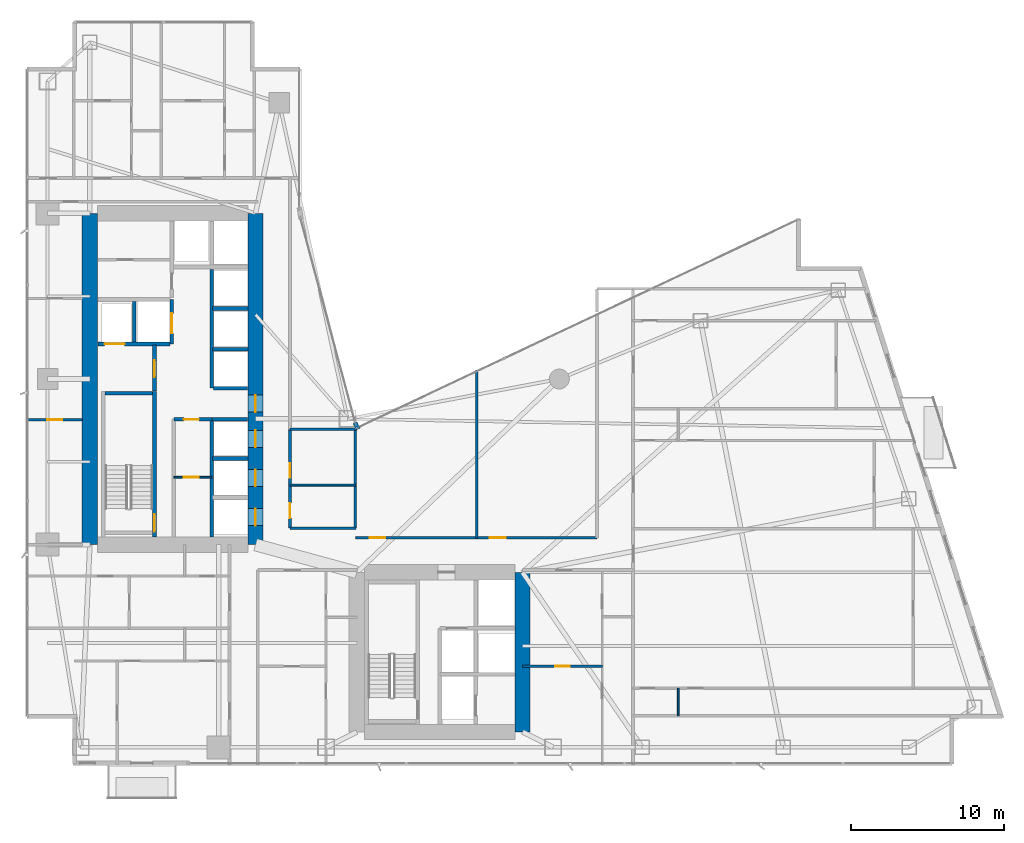
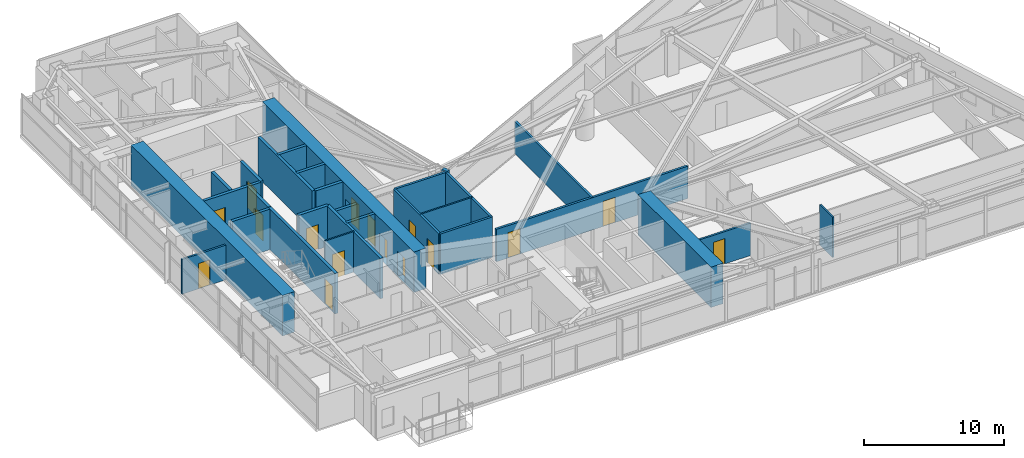
# One storey, part 22 of 28: 29 walls, 16 doors, 16 openings.
"""IFC4 building model written with IfcOpenShell, lengths in metres."""

from ifc_helpers import new_model, si_unit, direction, frame, frame_2d, origin, place, context, subcontext, project, spatial, rectangle, extrude, material, layer, layer_set, type_object, element, fill, save


model = new_model("IFC4")

# Units and contexts
model_context = context("Model", 3, precision=1e-05, world=origin(), true_north=direction((0.0, 1.0)))
body_context = subcontext(model_context, "Body", "Model", "MODEL_VIEW")
ifc_project = project(units=[si_unit("LENGTHUNIT", "METRE"), si_unit("AREAUNIT", "SQUARE_METRE"), si_unit("VOLUMEUNIT", "CUBIC_METRE"), si_unit("PLANEANGLEUNIT", "RADIAN"), si_unit("MASSUNIT", "GRAM", prefix="KILO")], contexts=[model_context])

# Site, building, storey
site_placement = place(None, origin())
site = spatial("IfcSite", under=ifc_project, at=site_placement, CompositionType="ELEMENT")
building_placement = place(site_placement, origin())
building = spatial("IfcBuilding", under=site, at=building_placement, Name="Calvorn Quay Hotel", CompositionType="ELEMENT")
storey_placement = place(building_placement, frame((0.0, 0.0, 42.199951171875)))
storey = spatial("IfcBuildingStorey", under=building, at=storey_placement, Name="L09", CompositionType="ELEMENT", Elevation=42.199951171875)

# Wall
ifc_material_1 = material(Name="Concrete C60", Category="concrete")
ifc_layer_1 = layer(ifc_material_1, 1.0)
ifc_layer_set_1 = layer_set([ifc_layer_1], Name="WL-CORE-1000")
wall_type_1 = type_object("IfcWallType", Name="WL-CORE-1000", PredefinedType="SHEAR", material=ifc_layer_set_1)
wall_1_placement = place(storey_placement, frame((4.199951171875, 16.800048828125, 0.0), z_axis=(0.0, 0.0, 1.0), x_axis=(0.0, 1.0, 0.0)))
element("IfcWall", 1, at=wall_1_placement, inside=storey, type_object=wall_type_1, Name="West Core Shear Wall W (L09)", PredefinedType="SHEAR", context=body_context, shape_type="SweptSolid", body=[
    extrude(rectangle(XDim=21.599853515625, YDim=1.0, at=frame_2d((10.7998046875, 0.0))), origin(), (0.0, 0.0, 1.0), 3.52001953125),
])

# Wall, openings, doors
wall_2_placement = place(storey_placement, frame((15.0, 16.800048828125, 0.0), z_axis=(0.0, 0.0, 1.0), x_axis=(0.0, 1.0, 0.0)))
wall_2 = element("IfcWall", 2, at=wall_2_placement, inside=storey, type_object=wall_type_1, Name="West Core Shear Wall E (L09)", PredefinedType="SHEAR", context=body_context, shape_type="SweptSolid", body=[
    extrude(rectangle(XDim=21.599853515625, YDim=1.0, at=frame_2d((10.7998046875, 0.0))), origin(), (0.0, 0.0, 1.0), 3.52001953125),
])
opening_1_placement = place(wall_2_placement, frame((8.64990234375, 0.0, 0.0)))
opening_1 = element("IfcOpeningElement", 3, at=opening_1_placement, cuts=wall_2, Name="Opening D-L09-CW1", PredefinedType="OPENING", context=body_context, shape_type="SweptSolid", body=[
    extrude(rectangle(XDim=1.10009765625, YDim=2.199951171875, at=frame_2d((0.550048828125, 1.10009765625))), frame((0.0, 0.510009765625, 0.0), z_axis=(0.0, -1.0, 0.0), x_axis=(1.0, 0.0, 0.0)), (0.0, 0.0, 1.0), 1.02001953125),
])
opening_2_placement = place(wall_2_placement, frame((1.25, 0.0, 0.0)))
opening_2 = element("IfcOpeningElement", 4, at=opening_2_placement, cuts=wall_2, Name="Opening LD-L09-L1", PredefinedType="OPENING", context=body_context, shape_type="SweptSolid", body=[
    extrude(rectangle(XDim=1.10009765625, YDim=2.199951171875, at=frame_2d((0.550048828125, 1.10009765625))), frame((0.0, 0.510009765625, 0.0), z_axis=(0.0, -1.0, 0.0), x_axis=(1.0, 0.0, 0.0)), (0.0, 0.0, 1.0), 1.02001953125),
])
opening_3_placement = place(wall_2_placement, frame((3.800048828125, 0.0, 0.0)))
opening_3 = element("IfcOpeningElement", 5, at=opening_3_placement, cuts=wall_2, Name="Opening LD-L09-L2", PredefinedType="OPENING", context=body_context, shape_type="SweptSolid", body=[
    extrude(rectangle(XDim=1.10009765625, YDim=2.199951171875, at=frame_2d((0.550048828125, 1.10009765625))), frame((0.0, 0.510009765625, 0.0), z_axis=(0.0, -1.0, 0.0), x_axis=(1.0, 0.0, 0.0)), (0.0, 0.0, 1.0), 1.02001953125),
])
opening_4_placement = place(wall_2_placement, frame((6.35009765625, 0.0, 0.0)))
opening_4 = element("IfcOpeningElement", 6, at=opening_4_placement, cuts=wall_2, Name="Opening LD-L09-L3", PredefinedType="OPENING", context=body_context, shape_type="SweptSolid", body=[
    extrude(rectangle(XDim=1.10009765625, YDim=2.199951171875, at=frame_2d((0.550048828125, 1.10009765625))), frame((0.0, 0.510009765625, 0.0), z_axis=(0.0, -1.0, 0.0), x_axis=(1.0, 0.0, 0.0)), (0.0, 0.0, 1.0), 1.02001953125),
])
ifc_material_2 = material(Name="Smoke-Sealed Steel Class A Fire Door", Category="steel")
door_type_1 = type_object("IfcDoorType", Name="DR-FFLOBBY-1100", OperationType="NOTDEFINED", PredefinedType="DOOR", material=ifc_material_2)
door_1_placement = place(opening_1_placement, origin())
door_1 = element("IfcDoor", 7, at=door_1_placement, inside=storey, type_object=door_type_1, Name="West Core Vestibule Fire Door (L09)", OperationType="SINGLE_SWING_RIGHT", OverallHeight=2.199951171875, OverallWidth=1.10009765625, PredefinedType="DOOR", context=body_context, shape_type="SweptSolid", body=[
    extrude(rectangle(XDim=1.10009765625, YDim=2.199951171875, at=frame_2d((0.550048828125, 1.10009765625))), frame((0.0, 0.02490234375, 0.0), z_axis=(0.0, -1.0, 0.0), x_axis=(1.0, 0.0, 0.0)), (0.0, 0.0, 1.0), 0.050048828125),
])
fill(opening_1, door_1)
ifc_material_3 = material(Name="Brushed Stainless Steel Sliding Lift Landing Door", Category="steel")
door_type_2 = type_object("IfcDoorType", Name="DR-LIFT-PASS-1100", OperationType="NOTDEFINED", PredefinedType="DOOR", material=ifc_material_3)
door_2_placement = place(opening_2_placement, origin())
door_2 = element("IfcDoor", 8, at=door_2_placement, inside=storey, type_object=door_type_2, Name="Low-Rise Lift PL-L1 Landing Door (L09)", OperationType="DOUBLE_DOOR_SLIDING", OverallHeight=2.199951171875, OverallWidth=1.10009765625, PredefinedType="DOOR", context=body_context, shape_type="SweptSolid", body=[
    extrude(rectangle(XDim=1.10009765625, YDim=2.199951171875, at=frame_2d((0.550048828125, 1.10009765625))), frame((0.0, 0.02490234375, 0.0), z_axis=(0.0, -1.0, 0.0), x_axis=(1.0, 0.0, 0.0)), (0.0, 0.0, 1.0), 0.050048828125),
])
fill(opening_2, door_2)
door_3_placement = place(opening_3_placement, origin())
door_3 = element("IfcDoor", 9, at=door_3_placement, inside=storey, type_object=door_type_2, Name="Low-Rise Lift PL-L2 Landing Door (L09)", OperationType="DOUBLE_DOOR_SLIDING", OverallHeight=2.199951171875, OverallWidth=1.10009765625, PredefinedType="DOOR", context=body_context, shape_type="SweptSolid", body=[
    extrude(rectangle(XDim=1.10009765625, YDim=2.199951171875, at=frame_2d((0.550048828125, 1.10009765625))), frame((0.0, 0.02490234375, 0.0), z_axis=(0.0, -1.0, 0.0), x_axis=(1.0, 0.0, 0.0)), (0.0, 0.0, 1.0), 0.050048828125),
])
fill(opening_3, door_3)
door_4_placement = place(opening_4_placement, origin())
door_4 = element("IfcDoor", 10, at=door_4_placement, inside=storey, type_object=door_type_2, Name="Low-Rise Lift PL-L3 Landing Door (L09)", OperationType="DOUBLE_DOOR_SLIDING", OverallHeight=2.199951171875, OverallWidth=1.10009765625, PredefinedType="DOOR", context=body_context, shape_type="SweptSolid", body=[
    extrude(rectangle(XDim=1.10009765625, YDim=2.199951171875, at=frame_2d((0.550048828125, 1.10009765625))), frame((0.0, 0.02490234375, 0.0), z_axis=(0.0, -1.0, 0.0), x_axis=(1.0, 0.0, 0.0)), (0.0, 0.0, 1.0), 0.050048828125),
])
fill(opening_4, door_4)

# Walls
wall_3_placement = place(storey_placement, frame((32.39990234375, 4.60009765625, 0.0), z_axis=(0.0, 0.0, 1.0), x_axis=(0.0, 1.0, 0.0)))
element("IfcWall", 11, at=wall_3_placement, inside=storey, type_object=wall_type_1, Name="East Core Shear Wall E (L09)", PredefinedType="SHEAR", context=body_context, shape_type="SweptSolid", body=[
    extrude(rectangle(XDim=10.39990234375, YDim=1.0, at=frame_2d((5.199951171875, 0.0))), origin(), (0.0, 0.0, 1.0), 3.52001953125),
])
ifc_material_4 = material(Name="Acoustic Fireboard Steel-Stud Partition", Category="steel")
ifc_layer_2 = layer(ifc_material_4, 0.179931640625)
ifc_layer_set_2 = layer_set([ifc_layer_2], Name="WL-CORR-FIRE-180")
wall_type_2 = type_object("IfcWallType", Name="WL-CORR-FIRE-180", PredefinedType="PARTITIONING", material=ifc_layer_set_2)
wall_4_placement = place(storey_placement, frame((17.25, 17.8798828125, 0.0), z_axis=(0.0, 0.0, 1.0), x_axis=(1.0, 0.0, 0.0)))
element("IfcWall", 12, at=wall_4_placement, inside=storey, type_object=wall_type_2, Name="Partition Wall L09-WL-HK-S", PredefinedType="PARTITIONING", context=body_context, shape_type="SweptSolid", body=[
    extrude(rectangle(XDim=4.300048828125, YDim=0.179931640625, at=frame_2d((2.14990234375, 0.0))), origin(), (0.0, 0.0, 1.0), 3.52001953125),
])
wall_5_placement = place(storey_placement, frame((17.25, 24.320068359375, 0.0), z_axis=(0.0, 0.0, 1.0), x_axis=(1.0, 0.0, 0.0)))
element("IfcWall", 13, at=wall_5_placement, inside=storey, type_object=wall_type_2, Name="Partition Wall L09-WL-HK-N", PredefinedType="PARTITIONING", context=body_context, shape_type="SweptSolid", body=[
    extrude(rectangle(XDim=4.35009765625, YDim=0.179931640625, at=frame_2d((2.175048828125, 0.0))), origin(), (0.0, 0.0, 1.0), 3.52001953125),
])
wall_6_placement = place(storey_placement, frame((21.5, 17.8798828125, 0.0), z_axis=(0.0, 0.0, 1.0), x_axis=(0.0, 1.0, 0.0)))
element("IfcWall", 14, at=wall_6_placement, inside=storey, type_object=wall_type_2, Name="Partition Wall L09-WL-HK-E", PredefinedType="PARTITIONING", context=body_context, shape_type="SweptSolid", body=[
    extrude(rectangle(XDim=6.440185546875, YDim=0.179931640625, at=frame_2d((3.22021484375, 0.0))), origin(), (0.0, 0.0, 1.0), 3.52001953125),
])

# Wall, openings, doors
wall_7_placement = place(storey_placement, frame((17.25, 17.8798828125, 0.0), z_axis=(0.0, 0.0, 1.0), x_axis=(0.0, 1.0, 0.0)))
wall_7 = element("IfcWall", 15, at=wall_7_placement, inside=storey, type_object=wall_type_2, Name="Partition Wall L09-WL-HK-W", PredefinedType="PARTITIONING", context=body_context, shape_type="SweptSolid", body=[
    extrude(rectangle(XDim=6.440185546875, YDim=0.179931640625, at=frame_2d((3.22021484375, 0.0))), origin(), (0.0, 0.0, 1.0), 3.52001953125),
])
opening_5_placement = place(wall_7_placement, frame((0.64990234375, 0.0, 0.0)))
opening_5 = element("IfcOpeningElement", 16, at=opening_5_placement, cuts=wall_7, Name="Opening D-L09-HK", PredefinedType="OPENING", context=body_context, shape_type="SweptSolid", body=[
    extrude(rectangle(XDim=0.97998046875, YDim=2.14990234375, at=frame_2d((0.489990234375, 1.074951171875))), frame((0.0, 0.099853515625, 0.0), z_axis=(0.0, -1.0, 0.0), x_axis=(1.0, 0.0, 0.0)), (0.0, 0.0, 1.0), 0.199951171875),
])
opening_6_placement = place(wall_7_placement, frame((3.27001953125, 0.0, 0.0)))
opening_6 = element("IfcOpeningElement", 17, at=opening_6_placement, cuts=wall_7, Name="Opening D-L09-NCP", PredefinedType="OPENING", context=body_context, shape_type="SweptSolid", body=[
    extrude(rectangle(XDim=0.9599609375, YDim=2.199951171875, at=frame_2d((0.47998046875, 1.10009765625))), frame((0.0, 0.099853515625, 0.0), z_axis=(0.0, -1.0, 0.0), x_axis=(1.0, 0.0, 0.0)), (0.0, 0.0, 1.0), 0.199951171875),
])
ifc_material_5 = material(Name="Painted Steel Housekeeping/Riser Fire Door", Category="steel")
door_type_3 = type_object("IfcDoorType", Name="DR-SERVICE-980", OperationType="NOTDEFINED", PredefinedType="DOOR", material=ifc_material_5)
door_5_placement = place(opening_5_placement, origin())
door_5 = element("IfcDoor", 18, at=door_5_placement, inside=storey, type_object=door_type_3, Name="Floor Housekeeping Door (L09)", OperationType="SINGLE_SWING_LEFT", OverallHeight=2.14990234375, OverallWidth=0.97998046875, PredefinedType="DOOR", context=body_context, shape_type="SweptSolid", body=[
    extrude(rectangle(XDim=0.97998046875, YDim=2.14990234375, at=frame_2d((0.489990234375, 1.074951171875))), frame((0.0, 0.02490234375, 0.0), z_axis=(0.0, -1.0, 0.0), x_axis=(1.0, 0.0, 0.0)), (0.0, 0.0, 1.0), 0.050048828125),
])
fill(opening_5, door_5)
ifc_material_6 = material(Name="Solid Timber Internal Suite Door", Category="wood")
door_type_4 = type_object("IfcDoorType", Name="DR-SUITE-INT-960", OperationType="NOTDEFINED", PredefinedType="DOOR", material=ifc_material_6)
door_6_placement = place(opening_6_placement, origin())
door_6 = element("IfcDoor", 19, at=door_6_placement, inside=storey, type_object=door_type_4, Name="Reading Alcove Door (L09)", OperationType="SINGLE_SWING_RIGHT", OverallHeight=2.199951171875, OverallWidth=0.9599609375, PredefinedType="DOOR", context=body_context, shape_type="SweptSolid", body=[
    extrude(rectangle(XDim=0.9599609375, YDim=2.199951171875, at=frame_2d((0.47998046875, 1.10009765625))), frame((0.0, 0.02490234375, 0.0), z_axis=(0.0, -1.0, 0.0), x_axis=(1.0, 0.0, 0.0)), (0.0, 0.0, 1.0), 0.050048828125),
])
fill(opening_6, door_6)

wall_8_placement = place(storey_placement, frame((21.5, 17.25, 0.0), z_axis=(0.0, 0.0, 1.0), x_axis=(1.0, 0.0, 0.0)))
wall_8 = element("IfcWall", 20, at=wall_8_placement, inside=storey, type_object=wall_type_2, Name="Partition Wall L09-WL-CORR-NE-N", PredefinedType="PARTITIONING", context=body_context, shape_type="SweptSolid", body=[
    extrude(rectangle(XDim=15.75, YDim=0.179931640625, at=frame_2d((7.875, 0.0))), origin(), (0.0, 0.0, 1.0), 2.820068359375),
])
opening_7_placement = place(wall_8_placement, frame((0.949951171875, 0.0, 0.0)))
opening_7 = element("IfcOpeningElement", 21, at=opening_7_placement, cuts=wall_8, Name="Opening D-L09-NS1", PredefinedType="OPENING", context=body_context, shape_type="SweptSolid", body=[
    extrude(rectangle(XDim=1.02001953125, YDim=2.199951171875, at=frame_2d((0.510009765625, 1.10009765625))), frame((0.0, 0.099853515625, 0.0), z_axis=(0.0, -1.0, 0.0), x_axis=(1.0, 0.0, 0.0)), (0.0, 0.0, 1.0), 0.199951171875),
])
opening_8_placement = place(wall_8_placement, frame((8.780029296875, 0.0, 0.0)))
opening_8 = element("IfcOpeningElement", 22, at=opening_8_placement, cuts=wall_8, Name="Opening D-L09-NS2", PredefinedType="OPENING", context=body_context, shape_type="SweptSolid", body=[
    extrude(rectangle(XDim=1.02001953125, YDim=2.199951171875, at=frame_2d((0.510009765625, 1.10009765625))), frame((0.0, 0.099853515625, 0.0), z_axis=(0.0, -1.0, 0.0), x_axis=(1.0, 0.0, 0.0)), (0.0, 0.0, 1.0), 0.199951171875),
])
ifc_material_7 = material(Name="Solid-Core Walnut Veneer Hotel Fire Door")
door_type_5 = type_object("IfcDoorType", Name="DR-GUEST-ENTRY-1020", OperationType="NOTDEFINED", PredefinedType="DOOR", material=ifc_material_7)
door_7_placement = place(opening_7_placement, origin())
door_7 = element("IfcDoor", 23, at=door_7_placement, inside=storey, type_object=door_type_5, Name="Conservatory Salon Door 1 (L09)", OperationType="SINGLE_SWING_RIGHT", OverallHeight=2.199951171875, OverallWidth=1.02001953125, PredefinedType="DOOR", context=body_context, shape_type="SweptSolid", body=[
    extrude(rectangle(XDim=1.02001953125, YDim=2.199951171875, at=frame_2d((0.510009765625, 1.10009765625))), frame((0.0, 0.02490234375, 0.0), z_axis=(0.0, -1.0, 0.0), x_axis=(1.0, 0.0, 0.0)), (0.0, 0.0, 1.0), 0.050048828125),
])
fill(opening_7, door_7)
door_8_placement = place(opening_8_placement, origin())
door_8 = element("IfcDoor", 24, at=door_8_placement, inside=storey, type_object=door_type_5, Name="Conservatory Salon Door 2 (L09)", OperationType="SINGLE_SWING_LEFT", OverallHeight=2.199951171875, OverallWidth=1.02001953125, PredefinedType="DOOR", context=body_context, shape_type="SweptSolid", body=[
    extrude(rectangle(XDim=1.02001953125, YDim=2.199951171875, at=frame_2d((0.510009765625, 1.10009765625))), frame((0.0, 0.02490234375, 0.0), z_axis=(0.0, -1.0, 0.0), x_axis=(1.0, 0.0, 0.0)), (0.0, 0.0, 1.0), 0.050048828125),
])
fill(opening_8, door_8)

# Wall, opening, door
ifc_material_8 = material(Name="Moisture-Resistant Tile-Backed Partition")
ifc_layer_3 = layer(ifc_material_8, 0.125)
ifc_layer_set_3 = layer_set([ifc_layer_3], Name="WL-ENSUITE-125")
wall_type_3 = type_object("IfcWallType", Name="WL-ENSUITE-125", PredefinedType="PARTITIONING", material=ifc_layer_set_3)
wall_9_placement = place(storey_placement, frame((9.679931640625, 21.199951171875, 0.0), z_axis=(0.0, 0.0, 1.0), x_axis=(1.0, 0.0, 0.0)))
wall_9 = element("IfcWall", 25, at=wall_9_placement, inside=storey, type_object=wall_type_3, Name="Partition Wall L09-WL-CWW-SER-M", PredefinedType="PARTITIONING", context=body_context, shape_type="SweptSolid", body=[
    extrude(rectangle(XDim=2.469970703125, YDim=0.125, at=frame_2d((1.23486328125, 0.0))), origin(), (0.0, 0.0, 1.0), 3.52001953125),
])
opening_9_placement = place(wall_9_placement, frame((0.64990234375, 0.0, 0.0)))
opening_9 = element("IfcOpeningElement", 26, at=opening_9_placement, cuts=wall_9, Name="Opening D-L09-CSM", PredefinedType="OPENING", context=body_context, shape_type="SweptSolid", body=[
    extrude(rectangle(XDim=0.97998046875, YDim=2.14990234375, at=frame_2d((0.489990234375, 1.074951171875))), frame((0.0, 0.072509765625, 0.0), z_axis=(0.0, -1.0, 0.0), x_axis=(1.0, 0.0, 0.0)), (0.0, 0.0, 1.0), 0.14501953125),
])
door_9_placement = place(opening_9_placement, origin())
door_9 = element("IfcDoor", 27, at=door_9_placement, inside=storey, type_object=door_type_3, Name="Core Valet Pantry Door (L09)", OperationType="SINGLE_SWING_LEFT", OverallHeight=2.14990234375, OverallWidth=0.97998046875, PredefinedType="DOOR", context=body_context, shape_type="SweptSolid", body=[
    extrude(rectangle(XDim=0.97998046875, YDim=2.14990234375, at=frame_2d((0.489990234375, 1.074951171875))), frame((0.0, 0.02490234375, 0.0), z_axis=(0.0, -1.0, 0.0), x_axis=(1.0, 0.0, 0.0)), (0.0, 0.0, 1.0), 0.050048828125),
])
fill(opening_9, door_9)

# Walls
wall_10_placement = place(storey_placement, frame((17.25, 20.679931640625, 0.0), z_axis=(0.0, 0.0, 1.0), x_axis=(1.0, 0.0, 0.0)))
element("IfcWall", 28, at=wall_10_placement, inside=storey, type_object=wall_type_3, Name="Partition Wall L09-WL-HK-M", PredefinedType="PARTITIONING", context=body_context, shape_type="SweptSolid", body=[
    extrude(rectangle(XDim=4.300048828125, YDim=0.125, at=frame_2d((2.14990234375, 0.0))), origin(), (0.0, 0.0, 1.0), 3.52001953125),
])
wall_11_placement = place(storey_placement, frame((42.550048828125, 5.659912109375, 0.0), z_axis=(0.0, 0.0, 1.0), x_axis=(0.0, 1.0, 0.0)))
element("IfcWall", 29, at=wall_11_placement, inside=storey, type_object=wall_type_3, Name="Partition Wall L09-WL-U07-BDV", PredefinedType="PARTITIONING", context=body_context, shape_type="SweptSolid", body=[
    extrude(rectangle(XDim=1.7900390625, YDim=0.125, at=frame_2d((0.89501953125, 0.0))), origin(), (0.0, 0.0, 1.0), 3.52001953125),
])
ifc_material_9 = material(Name="Concrete C40", Category="concrete")
ifc_layer_4 = layer(ifc_material_9, 0.320068359375)
ifc_layer_set_4 = layer_set([ifc_layer_4], Name="WL-EXT-SPANDREL-320")
wall_type_4 = type_object("IfcWallType", Name="WL-EXT-SPANDREL-320", PredefinedType="SOLIDWALL", material=ifc_layer_set_4)
wall_12_placement = place(storey_placement, frame((21.679931640625, 24.340087890625, 0.0), z_axis=(0.0, 0.0, 1.0), x_axis=(-0.40758134973, 0.913168901875, 0.0)))
element("IfcWall", 30, at=wall_12_placement, inside=storey, type_object=wall_type_4, Name="Inner Court Corner Pier L09-ICJ1", PredefinedType="SOLIDWALL", context=body_context, shape_type="SweptSolid", body=[
    extrude(rectangle(XDim=0.470703125, YDim=0.280029296875, at=frame_2d((0.2353515625, 0.0))), origin(), (0.0, 0.0, 1.0), 3.52001953125),
])

# Wall, opening, door
ifc_material_10 = material(Name="Double-Stud Acoustic Gypsum Partition")
ifc_layer_5 = layer(ifc_material_10, 0.159912109375)
ifc_layer_set_5 = layer_set([ifc_layer_5], Name="WL-INTERSUITE-160")
wall_type_5 = type_object("IfcWallType", Name="WL-INTERSUITE-160", PredefinedType="PARTITIONING", material=ifc_layer_set_5)
wall_13_placement = place(storey_placement, frame((0.080078125, 24.949951171875, 0.0), z_axis=(0.0, 0.0, 1.0), x_axis=(1.0, 0.0, 0.0)))
wall_13 = element("IfcWall", 31, at=wall_13_placement, inside=storey, type_object=wall_type_5, Name="Partition Wall L09-WL-WBAY-DIVA", PredefinedType="PARTITIONING", context=body_context, shape_type="SweptSolid", body=[
    extrude(rectangle(XDim=3.64990234375, YDim=0.159912109375, at=frame_2d((1.824951171875, 0.0))), origin(), (0.0, 0.0, 1.0), 3.02001953125),
])
opening_10_placement = place(wall_13_placement, frame((1.35009765625, 0.0, 0.0)))
opening_10 = element("IfcOpeningElement", 32, at=opening_10_placement, cuts=wall_13, Name="Opening D-L09-WBA", PredefinedType="OPENING", context=body_context, shape_type="SweptSolid", body=[
    extrude(rectangle(XDim=0.9599609375, YDim=2.199951171875, at=frame_2d((0.47998046875, 1.10009765625))), frame((0.0, 0.08984375, 0.0), z_axis=(0.0, -1.0, 0.0), x_axis=(1.0, 0.0, 0.0)), (0.0, 0.0, 1.0), 0.179931640625),
])
door_10_placement = place(opening_10_placement, origin())
door_10 = element("IfcDoor", 33, at=door_10_placement, inside=storey, type_object=door_type_4, Name="West South Connecting Door (L09)", OperationType="SINGLE_SWING_LEFT", OverallHeight=2.199951171875, OverallWidth=0.9599609375, PredefinedType="DOOR", context=body_context, shape_type="SweptSolid", body=[
    extrude(rectangle(XDim=0.9599609375, YDim=2.199951171875, at=frame_2d((0.47998046875, 1.10009765625))), frame((0.0, 0.02490234375, 0.0), z_axis=(0.0, -1.0, 0.0), x_axis=(1.0, 0.0, 0.0)), (0.0, 0.0, 1.0), 0.050048828125),
])
fill(opening_10, door_10)

wall_14_placement = place(storey_placement, frame((32.39990234375, 8.8798828125, 0.0), z_axis=(0.0, 0.0, 1.0), x_axis=(1.0, 0.0, 0.0)))
wall_14 = element("IfcWall", 34, at=wall_14_placement, inside=storey, type_object=wall_type_5, Name="Partition Wall L09-WL-U06-MSP", PredefinedType="PARTITIONING", context=body_context, shape_type="SweptSolid", body=[
    extrude(rectangle(XDim=5.2001953125, YDim=0.159912109375, at=frame_2d((2.60009765625, 0.0))), origin(), (0.0, 0.0, 1.0), 2.820068359375),
])
opening_11_placement = place(wall_14_placement, frame((2.1201171875, 0.0, 0.0)))
opening_11 = element("IfcOpeningElement", 35, at=opening_11_placement, cuts=wall_14, Name="Opening D-L09-M06", PredefinedType="OPENING", context=body_context, shape_type="SweptSolid", body=[
    extrude(rectangle(XDim=0.9599609375, YDim=2.199951171875, at=frame_2d((0.47998046875, 1.10009765625))), frame((0.0, 0.08984375, 0.0), z_axis=(0.0, -1.0, 0.0), x_axis=(1.0, 0.0, 0.0)), (0.0, 0.0, 1.0), 0.179931640625),
])
door_11_placement = place(opening_11_placement, origin())
door_11 = element("IfcDoor", 36, at=door_11_placement, inside=storey, type_object=door_type_4, Name="Suite Bedroom Door 06", OperationType="SINGLE_SWING_LEFT", OverallHeight=2.199951171875, OverallWidth=0.9599609375, PredefinedType="DOOR", context=body_context, shape_type="SweptSolid", body=[
    extrude(rectangle(XDim=0.9599609375, YDim=2.199951171875, at=frame_2d((0.47998046875, 1.10009765625))), frame((0.0, 0.02490234375, 0.0), z_axis=(0.0, -1.0, 0.0), x_axis=(1.0, 0.0, 0.0)), (0.0, 0.0, 1.0), 0.050048828125),
])
fill(opening_11, door_11)

# Wall
wall_15_placement = place(storey_placement, frame((29.429931640625, 17.25, 0.0), z_axis=(0.0, 0.0, 1.0), x_axis=(0.0, 1.0, 0.0)))
element("IfcWall", 37, at=wall_15_placement, inside=storey, type_object=wall_type_5, Name="Partition Wall L09-WL-NE-DIV-1", PredefinedType="PARTITIONING", context=body_context, shape_type="SweptSolid", body=[
    extrude(rectangle(XDim=10.929931640625, YDim=0.159912109375, at=frame_2d((5.46484375, 0.0))), origin(), (0.0, 0.0, 1.0), 2.820068359375),
])

# Wall, opening, door
ifc_material_11 = material(Name="Concrete C40", Category="concrete")
ifc_layer_6 = layer(ifc_material_11, 0.239990234375)
ifc_layer_set_6 = layer_set([ifc_layer_6], Name="WL-SHAFT-240")
wall_type_6 = type_object("IfcWallType", Name="WL-SHAFT-240", PredefinedType="SOLIDWALL", material=ifc_layer_set_6)
wall_16_placement = place(storey_placement, frame((8.419921875, 17.300048828125, 0.0), z_axis=(0.0, 0.0, 1.0), x_axis=(0.0, 1.0, 0.0)))
wall_16 = element("IfcWall", 38, at=wall_16_placement, inside=storey, type_object=wall_type_6, Name="Stair STW Shaft Wall E (L09)", PredefinedType="SOLIDWALL", context=body_context, shape_type="SweptSolid", body=[
    extrude(rectangle(XDim=9.489990234375, YDim=0.239990234375, at=frame_2d((4.7451171875, 0.0))), origin(), (0.0, 0.0, 1.0), 3.52001953125),
])
opening_12_placement = place(wall_16_placement, frame((0.35009765625, 0.0, 0.0)))
opening_12 = element("IfcOpeningElement", 39, at=opening_12_placement, cuts=wall_16, Name="Opening D-L09-STW", PredefinedType="OPENING", context=body_context, shape_type="SweptSolid", body=[
    extrude(rectangle(XDim=1.14990234375, YDim=2.199951171875, at=frame_2d((0.574951171875, 1.10009765625))), frame((0.0, 0.1298828125, 0.0), z_axis=(0.0, -1.0, 0.0), x_axis=(1.0, 0.0, 0.0)), (0.0, 0.0, 1.0), 0.260009765625),
])
ifc_material_12 = material(Name="Galvanised Steel Class A Fire Door", Category="steel")
door_type_6 = type_object("IfcDoorType", Name="DR-STAIR-SMOKE-1150", OperationType="NOTDEFINED", PredefinedType="DOOR", material=ifc_material_12)
door_12_placement = place(opening_12_placement, origin())
door_12 = element("IfcDoor", 40, at=door_12_placement, inside=storey, type_object=door_type_6, Name="Stair ST-W Fire Door (L09)", OperationType="SINGLE_SWING_LEFT", OverallHeight=2.199951171875, OverallWidth=1.14990234375, PredefinedType="DOOR", context=body_context, shape_type="SweptSolid", body=[
    extrude(rectangle(XDim=1.14990234375, YDim=2.199951171875, at=frame_2d((0.574951171875, 1.10009765625))), frame((0.0, 0.02490234375, 0.0), z_axis=(0.0, -1.0, 0.0), x_axis=(1.0, 0.0, 0.0)), (0.0, 0.0, 1.0), 0.050048828125),
])
fill(opening_12, door_12)

# Walls
wall_17_placement = place(storey_placement, frame((5.199951171875, 26.669921875, 0.0), z_axis=(0.0, 0.0, 1.0), x_axis=(1.0, 0.0, 0.0)))
element("IfcWall", 41, at=wall_17_placement, inside=storey, type_object=wall_type_6, Name="Stair STW Shaft Wall N (L09)", PredefinedType="SOLIDWALL", context=body_context, shape_type="SweptSolid", body=[
    extrude(rectangle(XDim=3.10009765625, YDim=0.239990234375, at=frame_2d((1.550048828125, 0.0))), origin(), (0.0, 0.0, 1.0), 3.52001953125),
])
for number, where, z_axis, x_axis, name in (
    (42, (12.179931640625, 22.425048828125, 0.0), (0.0, 0.0, 1.0), (1.0, 0.0, 0.0), "Lift Hoistway Divider Wall PLL23 (L09)"),
    (43, (12.179931640625, 29.550048828125, 0.0), (0.0, 0.0, 1.0), (1.0, 0.0, 0.0), "Lift Hoistway Divider Wall PLM12 (L09)"),
    (44, (12.179931640625, 32.199951171875, 0.0), (0.0, 0.0, 1.0), (1.0, 0.0, 0.0), "Lift Hoistway Divider Wall PLM23 (L09)"),
):
    element("IfcWall", number, at=place(storey_placement, frame(where, z_axis=z_axis, x_axis=x_axis)), inside=storey, type_object=wall_type_6, Name=name, PredefinedType="SOLIDWALL", context=body_context, shape_type="SweptSolid", body=[
        extrude(rectangle(XDim=2.320068359375, YDim=0.239990234375, at=frame_2d((1.16015625, 0.0))), origin(), (0.0, 0.0, 1.0), 3.52001953125),
    ])

# Wall, opening, door
wall_18_placement = place(storey_placement, frame((8.419921875, 26.820068359375, 0.0), z_axis=(0.0, 0.0, 1.0), x_axis=(0.0, 1.0, 0.0)))
wall_18 = element("IfcWall", 45, at=wall_18_placement, inside=storey, type_object=wall_type_6, Name="Partition Wall L09-WL-CWW-FFL-E", PredefinedType="SOLIDWALL", context=body_context, shape_type="SweptSolid", body=[
    extrude(rectangle(XDim=3.0, YDim=0.239990234375, at=frame_2d((1.5, 0.0))), origin(), (0.0, 0.0, 1.0), 3.52001953125),
])
opening_13_placement = place(wall_18_placement, frame((0.89990234375, 0.0, 0.0)))
opening_13 = element("IfcOpeningElement", 46, at=opening_13_placement, cuts=wall_18, Name="Opening D-L09-FLW", PredefinedType="OPENING", context=body_context, shape_type="SweptSolid", body=[
    extrude(rectangle(XDim=1.10009765625, YDim=2.199951171875, at=frame_2d((0.550048828125, 1.10009765625))), frame((0.0, 0.1298828125, 0.0), z_axis=(0.0, -1.0, 0.0), x_axis=(1.0, 0.0, 0.0)), (0.0, 0.0, 1.0), 0.260009765625),
])
door_13_placement = place(opening_13_placement, origin())
door_13 = element("IfcDoor", 47, at=door_13_placement, inside=storey, type_object=door_type_1, Name="West Firefighting Lobby Fire Door (L09)", OperationType="SINGLE_SWING_RIGHT", OverallHeight=2.199951171875, OverallWidth=1.10009765625, PredefinedType="DOOR", context=body_context, shape_type="SweptSolid", body=[
    extrude(rectangle(XDim=1.10009765625, YDim=2.199951171875, at=frame_2d((0.550048828125, 1.10009765625))), frame((0.0, 0.02490234375, 0.0), z_axis=(0.0, -1.0, 0.0), x_axis=(1.0, 0.0, 0.0)), (0.0, 0.0, 1.0), 0.050048828125),
])
fill(opening_13, door_13)

wall_19_placement = place(storey_placement, frame((4.719970703125, 29.8798828125, 0.0), z_axis=(0.0, 0.0, 1.0), x_axis=(1.0, 0.0, 0.0)))
wall_19 = element("IfcWall", 48, at=wall_19_placement, inside=storey, type_object=wall_type_6, Name="Partition Wall L09-WL-CWW-FLW-S", PredefinedType="SOLIDWALL", context=body_context, shape_type="SweptSolid", body=[
    extrude(rectangle(XDim=4.699951171875, YDim=0.239990234375, at=frame_2d((2.35009765625, 0.0))), origin(), (0.0, 0.0, 1.0), 3.52001953125),
])
opening_14_placement = place(wall_19_placement, frame((0.449951171875, 0.0, 0.0)))
opening_14 = element("IfcOpeningElement", 49, at=opening_14_placement, cuts=wall_19, Name="Opening LD-L09-FLW1", PredefinedType="OPENING", context=body_context, shape_type="SweptSolid", body=[
    extrude(rectangle(XDim=1.300048828125, YDim=2.35009765625, at=frame_2d((0.64990234375, 1.175048828125))), frame((0.0, 0.1298828125, 0.0), z_axis=(0.0, -1.0, 0.0), x_axis=(1.0, 0.0, 0.0)), (0.0, 0.0, 1.0), 0.260009765625),
])
ifc_material_13 = material(Name="Champagne-Bronze Sliding Express Lift Landing Door")
door_type_7 = type_object("IfcDoorType", Name="DR-LIFT-SHUTTLE-1300", OperationType="NOTDEFINED", PredefinedType="DOOR", material=ifc_material_13)
door_14_placement = place(opening_14_placement, origin())
door_14 = element("IfcDoor", 50, at=door_14_placement, inside=storey, type_object=door_type_7, Name="Firefighting Lift FL-W1 Landing Door (L09)", OperationType="DOUBLE_DOOR_SLIDING", OverallHeight=2.35009765625, OverallWidth=1.300048828125, PredefinedType="DOOR", context=body_context, shape_type="SweptSolid", body=[
    extrude(rectangle(XDim=1.300048828125, YDim=2.35009765625, at=frame_2d((0.64990234375, 1.175048828125))), frame((0.0, 0.02490234375, 0.0), z_axis=(0.0, -1.0, 0.0), x_axis=(1.0, 0.0, 0.0)), (0.0, 0.0, 1.0), 0.050048828125),
])
fill(opening_14, door_14)

# Wall
wall_20_placement = place(storey_placement, frame((7.10009765625, 30.02001953125, 0.0), z_axis=(0.0, 0.0, 1.0), x_axis=(0.0, 1.0, 0.0)))
element("IfcWall", 51, at=wall_20_placement, inside=storey, type_object=wall_type_6, Name="Partition Wall L09-WL-CWW-FLW-DIV", PredefinedType="SOLIDWALL", context=body_context, shape_type="SweptSolid", body=[
    extrude(rectangle(XDim=2.6298828125, YDim=0.239990234375, at=frame_2d((1.31494140625, 0.0))), origin(), (0.0, 0.0, 1.0), 3.52001953125),
])

# Wall, opening, door
wall_21_placement = place(storey_placement, frame((9.5400390625, 29.8798828125, 0.0), z_axis=(0.0, 0.0, 1.0), x_axis=(0.0, 1.0, 0.0)))
wall_21 = element("IfcWall", 52, at=wall_21_placement, inside=storey, type_object=wall_type_6, Name="Partition Wall L09-WL-CWW-SLW-E", PredefinedType="SOLIDWALL", context=body_context, shape_type="SweptSolid", body=[
    extrude(rectangle(XDim=2.900146484375, YDim=0.239990234375, at=frame_2d((1.4501953125, 0.0))), origin(), (0.0, 0.0, 1.0), 3.52001953125),
])
opening_15_placement = place(wall_21_placement, frame((0.699951171875, 0.0, 0.0)))
opening_15 = element("IfcOpeningElement", 53, at=opening_15_placement, cuts=wall_21, Name="Opening LD-L09-SLW1", PredefinedType="OPENING", context=body_context, shape_type="SweptSolid", body=[
    extrude(rectangle(XDim=1.300048828125, YDim=2.35009765625, at=frame_2d((0.64990234375, 1.175048828125))), frame((0.0, 0.1298828125, 0.0), z_axis=(0.0, -1.0, 0.0), x_axis=(1.0, 0.0, 0.0)), (0.0, 0.0, 1.0), 0.260009765625),
])
door_15_placement = place(opening_15_placement, origin())
door_15 = element("IfcDoor", 54, at=door_15_placement, inside=storey, type_object=door_type_7, Name="Service Lift SL-W1 Landing Door (L09)", OperationType="DOUBLE_DOOR_SLIDING", OverallHeight=2.35009765625, OverallWidth=1.300048828125, PredefinedType="DOOR", context=body_context, shape_type="SweptSolid", body=[
    extrude(rectangle(XDim=1.300048828125, YDim=2.35009765625, at=frame_2d((0.64990234375, 1.175048828125))), frame((0.0, 0.02490234375, 0.0), z_axis=(0.0, -1.0, 0.0), x_axis=(1.0, 0.0, 0.0)), (0.0, 0.0, 1.0), 0.050048828125),
])
fill(opening_15, door_15)

# Wall
wall_22_placement = place(storey_placement, frame((12.14990234375, 17.320068359375, 0.0), z_axis=(0.0, 0.0, 1.0), x_axis=(0.0, 1.0, 0.0)))
element("IfcWall", 55, at=wall_22_placement, inside=storey, type_object=wall_type_6, Name="Partition Wall L09-WL-CWW-PLL-W", PredefinedType="SOLIDWALL", context=body_context, shape_type="SweptSolid", body=[
    extrude(rectangle(XDim=7.64990234375, YDim=0.239990234375, at=frame_2d((3.824951171875, 0.0))), origin(), (0.0, 0.0, 1.0), 3.52001953125),
])

# Wall, opening, door
wall_23_placement = place(storey_placement, frame((9.679931640625, 24.969970703125, 0.0), z_axis=(0.0, 0.0, 1.0), x_axis=(1.0, 0.0, 0.0)))
wall_23 = element("IfcWall", 56, at=wall_23_placement, inside=storey, type_object=wall_type_6, Name="Partition Wall L09-WL-CWW-SER-N", PredefinedType="SOLIDWALL", context=body_context, shape_type="SweptSolid", body=[
    extrude(rectangle(XDim=2.469970703125, YDim=0.239990234375, at=frame_2d((1.23486328125, 0.0))), origin(), (0.0, 0.0, 1.0), 3.52001953125),
])
opening_16_placement = place(wall_23_placement, frame((0.64990234375, 0.0, 0.0)))
opening_16 = element("IfcOpeningElement", 57, at=opening_16_placement, cuts=wall_23, Name="Opening D-L09-CSR", PredefinedType="OPENING", context=body_context, shape_type="SweptSolid", body=[
    extrude(rectangle(XDim=0.97998046875, YDim=2.14990234375, at=frame_2d((0.489990234375, 1.074951171875))), frame((0.0, 0.1298828125, 0.0), z_axis=(0.0, -1.0, 0.0), x_axis=(1.0, 0.0, 0.0)), (0.0, 0.0, 1.0), 0.260009765625),
])
door_16_placement = place(opening_16_placement, origin())
door_16 = element("IfcDoor", 58, at=door_16_placement, inside=storey, type_object=door_type_3, Name="Core Service Closet Door (L09)", OperationType="SINGLE_SWING_LEFT", OverallHeight=2.14990234375, OverallWidth=0.97998046875, PredefinedType="DOOR", context=body_context, shape_type="SweptSolid", body=[
    extrude(rectangle(XDim=0.97998046875, YDim=2.14990234375, at=frame_2d((0.489990234375, 1.074951171875))), frame((0.0, 0.02490234375, 0.0), z_axis=(0.0, -1.0, 0.0), x_axis=(1.0, 0.0, 0.0)), (0.0, 0.0, 1.0), 0.050048828125),
])
fill(opening_16, door_16)

# Walls
wall_24_placement = place(storey_placement, frame((12.14990234375, 24.969970703125, 0.0), z_axis=(0.0, 0.0, 1.0), x_axis=(1.0, 0.0, 0.0)))
element("IfcWall", 59, at=wall_24_placement, inside=storey, type_object=wall_type_6, Name="Partition Wall L09-WL-CWW-PLL-SHN", PredefinedType="SOLIDWALL", context=body_context, shape_type="SweptSolid", body=[
    extrude(rectangle(XDim=2.330078125, YDim=0.239990234375, at=frame_2d((1.1650390625, 0.0))), origin(), (0.0, 0.0, 1.0), 2.820068359375),
])
wall_25_placement = place(storey_placement, frame((12.25, 27.0, 0.0), z_axis=(0.0, 0.0, 1.0), x_axis=(1.0, 0.0, 0.0)))
element("IfcWall", 60, at=wall_25_placement, inside=storey, type_object=wall_type_6, Name="Partition Wall L09-WL-CWW-PLM-S", PredefinedType="SOLIDWALL", context=body_context, shape_type="SweptSolid", body=[
    extrude(rectangle(XDim=2.22998046875, YDim=0.239990234375, at=frame_2d((1.114990234375, 0.0))), origin(), (0.0, 0.0, 1.0), 3.52001953125),
])
wall_26_placement = place(storey_placement, frame((12.14990234375, 27.0, 0.0), z_axis=(0.0, 0.0, 1.0), x_axis=(0.0, 1.0, 0.0)))
element("IfcWall", 61, at=wall_26_placement, inside=storey, type_object=wall_type_6, Name="Partition Wall L09-WL-CWW-PLM-W", PredefinedType="SOLIDWALL", context=body_context, shape_type="SweptSolid", body=[
    extrude(rectangle(XDim=7.75, YDim=0.239990234375, at=frame_2d((3.875, 0.0))), origin(), (0.0, 0.0, 1.0), 3.52001953125),
])

save(model, "model.ifc")
